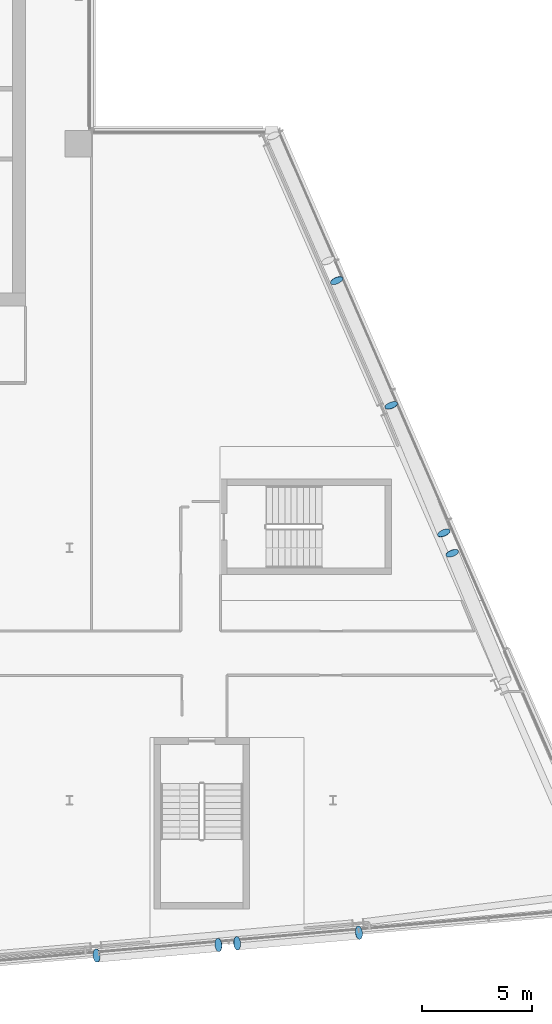
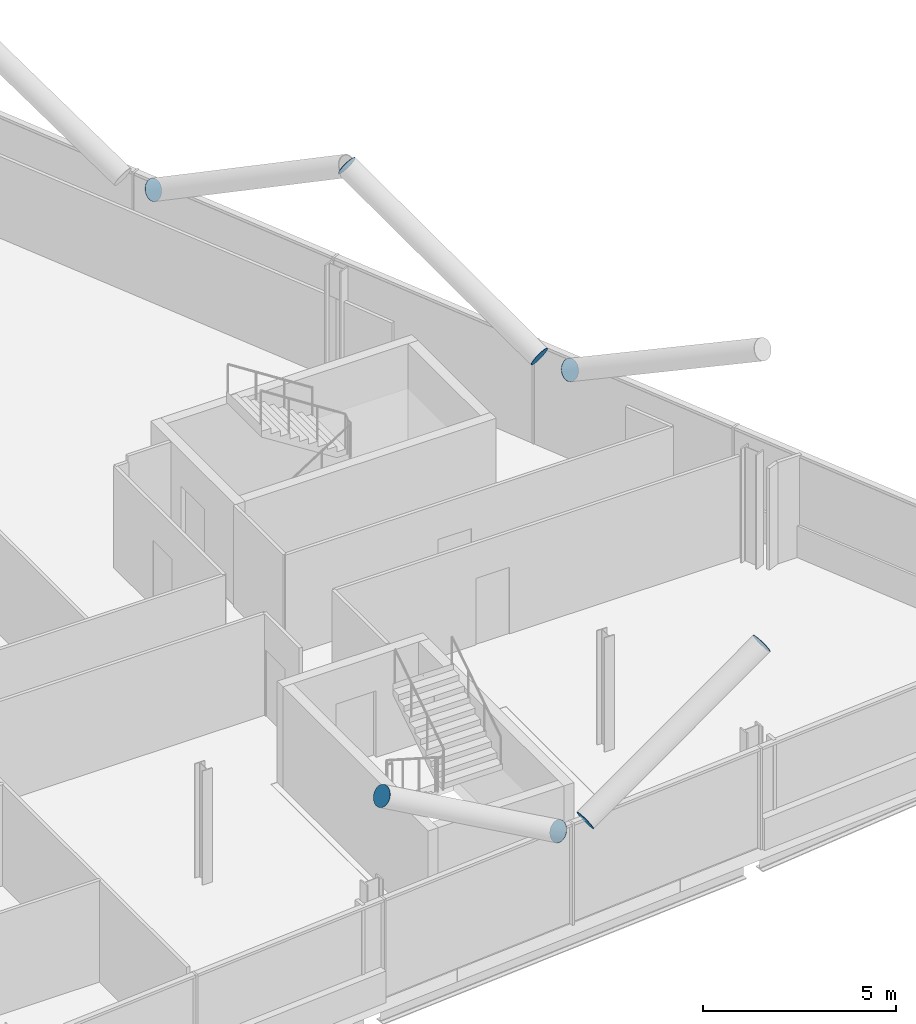
# One storey, part 21 of 26: 8 discrete accessories.
"""IFC4 building model written with IfcOpenShell, lengths in metres."""

from ifc_helpers import new_model, si_unit, direction, frame, origin, origin_2d, place, context, subcontext, project, spatial, circle, extrude, material, material_profile, profile_set, type_object, element, save


model = new_model("IFC4")

# Units and contexts
model_context = context("Model", 3, precision=1e-05, world=origin(), true_north=direction((0.0, 1.0)))
body_context = subcontext(model_context, "Body", "Model", "MODEL_VIEW")
ifc_project = project(units=[si_unit("LENGTHUNIT", "METRE"), si_unit("AREAUNIT", "SQUARE_METRE"), si_unit("VOLUMEUNIT", "CUBIC_METRE"), si_unit("PLANEANGLEUNIT", "RADIAN"), si_unit("MASSUNIT", "GRAM", prefix="KILO")], contexts=[model_context])

# Site, building, storey
site_placement = place(None, origin())
site = spatial("IfcSite", under=ifc_project, at=site_placement, CompositionType="ELEMENT")
building_placement = place(site_placement, origin())
building = spatial("IfcBuilding", under=site, at=building_placement, Name="Wharfspan Tower", CompositionType="ELEMENT")
storey_placement = place(building_placement, frame((0.0, 0.0, 214.300049)))
storey = spatial("IfcBuildingStorey", under=building, at=storey_placement, Name="L53", CompositionType="ELEMENT", Elevation=214.300049)

# Discrete accessories
ifc_material = material(Name="Steel S460NH", Category="steel")
ifc_material_profile = material_profile(ifc_material, circle(Radius=0.304932, at=origin_2d()))
ifc_profile_set = profile_set([ifc_material_profile], Name="Steel S460NH")
discrete_accessory_type = type_object("IfcDiscreteAccessoryType", Name="End plate CHS 610x25", PredefinedType="BRACKET", material=ifc_profile_set)
for number, where, z_axis, x_axis, name in (
    (1, (67.629883, 4.984863, 3.154297), (0.855186, 0.073302, 0.513112), (-0.085402, 0.996345, 1e-06), "End plate CHS 610x25"),
    (2, (73.175049, 5.469971, 6.5), (0.853405, 0.097532, 0.512043), (-0.113547, 0.993531, 1e-06), "End plate CHS 610x25"),
    (3, (66.787109, 4.911133, 3.154297), (-0.855186, -0.073302, 0.513112), (0.085402, -0.996345, 1e-06), "End plate CHS 610x25"),
    (4, (61.241943, 4.426025, 6.5), (-0.855186, -0.073302, 0.513112), (0.085402, -0.996345, 1e-06), "End plate CHS 610x25"),
    (5, (77.051025, 23.666992, 3.162598), (-0.345075, 0.81339, 0.468316), (-0.920586, -0.390551, -2e-06), "End plate CHS 610x25"),
    (6, (74.652588, 29.476318, 6.5), (-0.316603, 0.828038, 0.462727), (-0.934054, -0.357138, -1e-06), "End plate CHS 610x25"),
    (7, (77.428711, 22.752441, 3.162598), (0.316603, -0.828038, 0.462727), (0.934054, 0.357138, -1e-06), "End plate CHS 610x25"),
    (8, (72.163818, 35.168213, 3.161865), (0.366508, -0.806318, 0.464244), (0.910368, 0.413804, 1e-06), "End plate CHS 610x25"),
):
    element("IfcDiscreteAccessory", number, at=place(storey_placement, frame(where, z_axis=z_axis, x_axis=x_axis)), inside=storey, type_object=discrete_accessory_type, Name=name, PredefinedType="BRACKET", context=body_context, shape_type="SweptSolid", body=[
        extrude(circle(Radius=0.304932, at=origin_2d()), origin(), (0.0, 0.0, 1.0), 0.01001),
    ])

save(model, "model.ifc")
